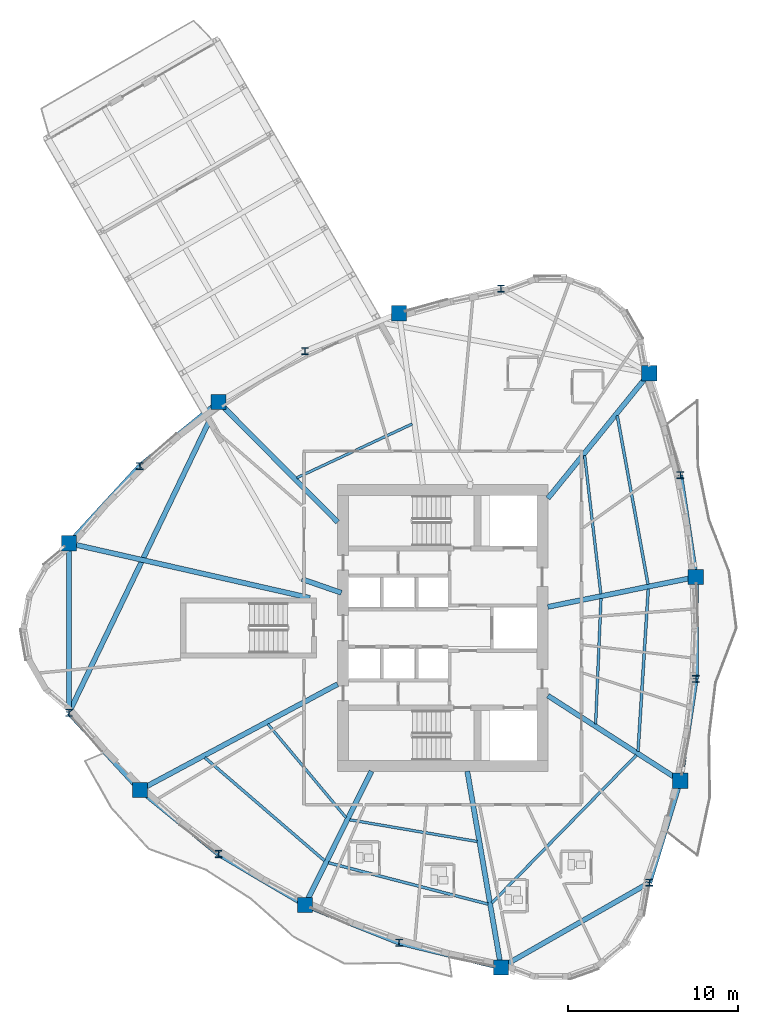
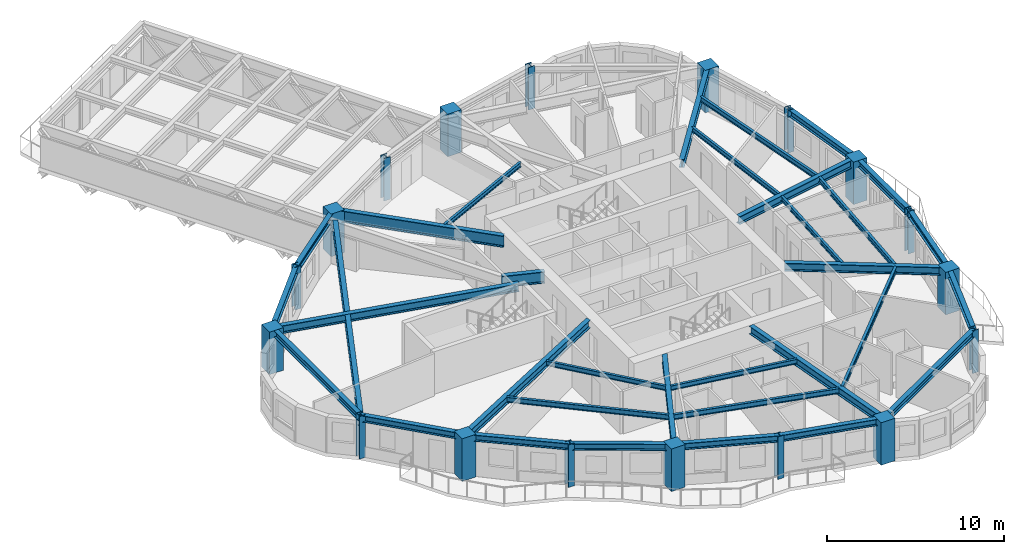
# One storey, part 1 of 14: 33 beams, 18 columns.
"""IFC4 building model written with IfcOpenShell, lengths in metres."""

import ifcopenshell
import ifcopenshell.guid

model = None  # the IFC model being written
_history = None  # IfcOwnerHistory: only IFC2X3 demands one
_inside = {}  # id of a spatial element -> (the spatial element, [elements in it])
_under = {}  # id of a project, library or spatial element -> (it, [spatial elements below it])
_declared = {}  # id of a project -> (the project, [libraries it declares])
_typed = {}  # id of a type object -> (the type object, [elements of that type])
_made_of = {}  # id of a material, layer set ... -> (it, [elements and type objects made of it])


def new_model(schema):
    """Start an empty IFC model of exactly this schema.

    Asked for "IFC4X3", IfcOpenShell would pick the latest addendum, in which some entities
    have other attributes; the version numbers below select the first issue.
    IFC2X3 requires an IfcOwnerHistory on every rooted entity: one is made here for all.
    """
    global model, _history
    if schema == "IFC4X3":
        model = ifcopenshell.file(schema_version=(4, 3, 0, 0))
    else:
        model = ifcopenshell.file(schema=schema)
    _inside.clear()
    _under.clear()
    _declared.clear()
    _typed.clear()
    _made_of.clear()
    _history = None
    if model.schema == "IFC2X3":
        org = make("IfcOrganization", Name="unknown")
        user = make(
            "IfcPersonAndOrganization",
            ThePerson=make("IfcPerson", FamilyName="unknown"),
            TheOrganization=org,
        )
        app = make(
            "IfcApplication",
            ApplicationDeveloper=org,
            Version="unknown",
            ApplicationFullName="unknown",
            ApplicationIdentifier="unknown",
        )
        _history = make(
            "IfcOwnerHistory",
            OwningUser=user,
            OwningApplication=app,
            ChangeAction="ADDED",
            CreationDate=0,
        )
    return model


def make(cls, **values):
    """One entity of the class cls with the attributes given. An attribute that is None is left unset."""
    return model.create_entity(
        cls, **{name: value for name, value in values.items() if value is not None}
    )


def rooted(cls, **values):
    """An entity with a GlobalId (a new one), such as an element, a storey or a relation."""
    return make(cls, GlobalId=ifcopenshell.guid.new(), OwnerHistory=_history, **values)


def si_unit(unit_type, name, prefix=None):
    """IfcSIUnit, for example si_unit("LENGTHUNIT", "METRE", prefix="MILLI")."""
    return make("IfcSIUnit", UnitType=unit_type, Prefix=prefix, Name=name)


def assignment(units):
    """IfcUnitAssignment: the units of a project."""
    return None if units is None else make("IfcUnitAssignment", Units=units)


def point(xyz):
    """IfcCartesianPoint."""
    return None if xyz is None else make("IfcCartesianPoint", Coordinates=xyz)


def direction(xyz):
    """IfcDirection."""
    return None if xyz is None else make("IfcDirection", DirectionRatios=xyz)


def frame(location, z_axis=None, x_axis=None):
    """IfcAxis2Placement3D, a coordinate frame: its origin and axes. An axis left out is left unset."""
    return make(
        "IfcAxis2Placement3D",
        Location=point(location),
        Axis=direction(z_axis),
        RefDirection=direction(x_axis),
    )


def frame_2d(location, x_axis=None):
    """IfcAxis2Placement2D, a coordinate frame in the plane: its origin and x axis."""
    return make(
        "IfcAxis2Placement2D", Location=point(location), RefDirection=direction(x_axis)
    )


def origin():
    """The frame at (0, 0, 0) with its axes left unset."""
    return frame((0.0, 0.0, 0.0))


def origin_2d():
    """The frame at (0, 0) in the plane with its x axis left unset."""
    return frame_2d((0.0, 0.0))


def place(relative_to, where):
    """IfcLocalPlacement: puts the frame where relative to a parent placement (None: the world)."""
    return make(
        "IfcLocalPlacement", PlacementRelTo=relative_to, RelativePlacement=where
    )


def context(
    kind, dimensions, precision=None, world=None, true_north=None, identifier=None
):
    """IfcGeometricRepresentationContext, for example the 3D "Model" context."""
    return make(
        "IfcGeometricRepresentationContext",
        ContextIdentifier=identifier,
        ContextType=kind,
        CoordinateSpaceDimension=dimensions,
        Precision=precision,
        WorldCoordinateSystem=world,
        TrueNorth=true_north,
    )


def subcontext(parent, identifier, kind, view, scale=None):
    """IfcGeometricRepresentationSubContext, for example "Body" below "Model"."""
    return make(
        "IfcGeometricRepresentationSubContext",
        ContextIdentifier=identifier,
        ContextType=kind,
        ParentContext=parent,
        TargetScale=scale,
        TargetView=view,
    )


def project(units=None, contexts=None):
    """IfcProject with its units and contexts."""
    return rooted(
        "IfcProject",
        Name="project",
        RepresentationContexts=contexts,
        UnitsInContext=assignment(units),
    )


def spatial(cls, under=None, at=None, **own):
    """A site, building, storey or space (cls), placed at a placement, below another one or the project."""
    s = rooted(cls, ObjectPlacement=at, **own)
    if under is not None:
        _under.setdefault(under.id(), (under, []))[1].append(s)
    return s


def profile(cls, at=None, kind="AREA", **sizes):
    """A parametric profile (cls). Its sizes go by their IFC names, for example OverallWidth=200.0."""
    return make(cls, ProfileType=kind, Position=at, **sizes)


def rectangle(**sizes):
    """IfcRectangleProfileDef."""
    return profile("IfcRectangleProfileDef", **sizes)


def i_section(**sizes):
    """IfcIShapeProfileDef."""
    return profile("IfcIShapeProfileDef", **sizes)


def extrude(swept, where, along, depth):
    """IfcExtrudedAreaSolid: the profile swept, set in the frame where, extruded along a direction by depth."""
    return make(
        "IfcExtrudedAreaSolid",
        SweptArea=swept,
        Position=where,
        ExtrudedDirection=direction(along),
        Depth=depth,
    )


def shape(context_of_items, identifier, shape_type, items):
    """IfcShapeRepresentation: the items that make up one representation, for example the "Body"."""
    return make(
        "IfcShapeRepresentation",
        ContextOfItems=context_of_items,
        RepresentationIdentifier=identifier,
        RepresentationType=shape_type,
        Items=items,
    )


def source(mapping_origin, context_of_items, identifier, shape_type, items):
    """IfcRepresentationMap: a shape defined once, which mapped items show again and again."""
    return make(
        "IfcRepresentationMap",
        MappingOrigin=mapping_origin,
        MappedRepresentation=shape(context_of_items, identifier, shape_type, items),
    )


def transform(
    local_origin,
    x_axis=None,
    y_axis=None,
    z_axis=None,
    scale=None,
    scale2=None,
    scale3=None,
    uniform=True,
):
    """IfcCartesianTransformationOperator3D, or its non-uniform kind. x_axis, y_axis, z_axis: its Axis1, 2, 3."""
    if uniform:
        return make(
            "IfcCartesianTransformationOperator3D",
            Axis1=direction(x_axis),
            Axis2=direction(y_axis),
            LocalOrigin=point(local_origin),
            Scale=scale,
            Axis3=direction(z_axis),
        )
    return make(
        "IfcCartesianTransformationOperator3DnonUniform",
        Axis1=direction(x_axis),
        Axis2=direction(y_axis),
        LocalOrigin=point(local_origin),
        Scale=scale,
        Axis3=direction(z_axis),
        Scale2=scale2,
        Scale3=scale3,
    )


def mapped(mapping_source, mapping_target):
    """IfcMappedItem: shows the shape of a source again, moved by a transform."""
    return make(
        "IfcMappedItem", MappingSource=mapping_source, MappingTarget=mapping_target
    )


def material(Name=None, Category=None):
    """IfcMaterial."""
    return make("IfcMaterial", Name=Name, Category=Category)


def material_profile(
    of_material, cross_section, Name=None, Category=None, Priority=None
):
    """IfcMaterialProfile: a cross section and its material."""
    return make(
        "IfcMaterialProfile",
        Name=Name,
        Material=of_material,
        Profile=cross_section,
        Priority=Priority,
        Category=Category,
    )


def profile_set(profiles, Name=None, composite=None):
    """IfcMaterialProfileSet."""
    return make(
        "IfcMaterialProfileSet",
        Name=Name,
        MaterialProfiles=profiles,
        CompositeProfile=composite,
    )


def made_of(thing, what):
    """Note that an element or type object is made of a material, layer set ...; save() writes the relation."""
    if what is not None:
        _made_of.setdefault(what.id(), (what, []))[1].append(thing)
    return thing


def type_object(cls, material=None, **own):
    """A type object (cls), such as IfcWallType, which elements share."""
    return made_of(rooted(cls, **own), material)


def element(
    cls,
    number,
    at=None,
    inside=None,
    cuts=None,
    type_object=None,
    material=None,
    context=None,
    identifier="Body",
    shape_type=None,
    held_by="IfcProductDefinitionShape",
    body=None,
    shapes=None,
    **own,
):
    """One element of the class cls, such as IfcWall. Its Tag is "e" and its number.

    at: its placement. inside: the storey or other place that contains it. cuts: it is an
    opening in that element (IfcRelVoidsElement). A single representation is given by context,
    identifier, shape_type and body (its items); several are given by shapes. held_by: the class
    of the entity that holds the representations. save() writes the other relations.
    """
    e = rooted(cls, Tag="e%d" % number, ObjectPlacement=at, **own)
    if body is not None:
        shapes = [shape(context, identifier, shape_type, body)]
    if shapes is not None:
        e.Representation = make(held_by, Representations=shapes)
    if inside is not None:
        _inside.setdefault(inside.id(), (inside, []))[1].append(e)
    if cuts is not None:
        rooted(
            "IfcRelVoidsElement", RelatingBuildingElement=cuts, RelatedOpeningElement=e
        )
    if type_object is not None:
        _typed.setdefault(type_object.id(), (type_object, []))[1].append(e)
    return made_of(e, material)


def aggregate(whole, parts):
    """IfcRelAggregates: a whole, such as a stair, and the parts it consists of."""
    return rooted("IfcRelAggregates", RelatingObject=whole, RelatedObjects=parts)


def save(model, path):
    """Write the relations noted so far, then the file.

    IfcRelAggregates (storeys below a building ...), IfcRelContainedInSpatialStructure (elements
    in a storey), IfcRelDefinesByType, IfcRelAssociatesMaterial and IfcRelDeclares: one each for
    every whole, place, type object, material and project.
    """
    for whole, parts in _under.values():
        aggregate(whole, parts)
    for where, things in _inside.values():
        rooted(
            "IfcRelContainedInSpatialStructure",
            RelatedElements=things,
            RelatingStructure=where,
        )
    for kind, things in _typed.values():
        rooted("IfcRelDefinesByType", RelatedObjects=things, RelatingType=kind)
    for what, things in _made_of.values():
        rooted("IfcRelAssociatesMaterial", RelatedObjects=things, RelatingMaterial=what)
    for by, libraries in _declared.values():
        rooted("IfcRelDeclares", RelatingContext=by, RelatedDefinitions=libraries)
    model.write(path)


model = new_model("IFC4")

# Units and contexts
model_context = context("Model", 3, precision=1e-05, world=origin(), true_north=direction((0.0, 1.0)))
body_context = subcontext(model_context, "Body", "Model", "MODEL_VIEW")
ifc_project = project(units=[si_unit("LENGTHUNIT", "METRE"), si_unit("AREAUNIT", "SQUARE_METRE"), si_unit("VOLUMEUNIT", "CUBIC_METRE"), si_unit("PLANEANGLEUNIT", "RADIAN"), si_unit("MASSUNIT", "GRAM", prefix="KILO")], contexts=[model_context])

# Site, building, storey
site_placement = place(None, origin())
site = spatial("IfcSite", under=ifc_project, at=site_placement, CompositionType="ELEMENT")
building_placement = place(site_placement, origin())
building = spatial("IfcBuilding", under=site, at=building_placement, Name="Qafzar Sky-Pleat Residences", CompositionType="ELEMENT")
storey_placement = place(building_placement, frame((0.0, 0.0, 83.199951171875)))
storey = spatial("IfcBuildingStorey", under=building, at=storey_placement, Name="L24", CompositionType="ELEMENT", Elevation=83.199951171875)

# Columns
ifc_material_1 = material(Name="Concrete C60/75", Category="concrete")
ifc_material_profile_1 = material_profile(ifc_material_1, rectangle(XDim=0.89990234375, YDim=0.89990234375, at=origin_2d()), Name="RC 900x900")
ifc_profile_set_1 = profile_set([ifc_material_profile_1], Name="Concrete C60/75")
column_type_1 = type_object("IfcColumnType", Name="COL-RC-900", PredefinedType="COLUMN", material=ifc_profile_set_1)
shared_shape_1 = source(origin(), body_context, "Body", "SweptSolid", [
    extrude(rectangle(XDim=0.89990234375, YDim=0.89990234375, at=origin_2d()), origin(), (0.0, 0.0, 1.0), 2.93505859375),
])
for number, where, z_axis, x_axis, name in (
    (1, (8.310302734375, 30.996337890625, 0.0), (0.0, 0.0, 1.0), (1.0, 0.0, 0.0), "L24 Perimeter Mega Column 1"),
    (2, (12.49267578125, 16.45068359375, 0.0), (0.0, 0.0, 1.0), (1.0, 0.0, 0.0), "L24 Perimeter Mega Column 3"),
    (3, (22.2265625, 9.668701171875, 0.0), (0.0, 0.0, 1.0), (1.0, 0.0, 0.0), "L24 Perimeter Mega Column 5"),
    (4, (33.787109375, 5.984619140625, 0.0), (0.0, 0.0, 1.0), (1.0, 0.0, 0.0), "L24 Perimeter Mega Column 7"),
    (5, (44.35888671875, 16.988525390625, 0.0), (0.0, 0.0, 1.0), (1.0, 0.0, 0.0), "L24 Perimeter Mega Column 9"),
    (6, (45.27197265625, 29.00390625, 0.0), (0.0, 0.0, 1.0), (1.0, 0.0, 0.0), "L24 Perimeter Mega Column 11"),
    (7, (42.532470703125, 41.01904296875, 0.0), (0.0, 0.0, 1.0), (1.0, 0.0, 0.0), "L24 Perimeter Mega Column 13"),
    (8, (27.778564453125, 44.560546875, 0.0), (0.0, 0.0, 1.0), (1.0, 0.0, 0.0), "L24 Perimeter Mega Column 15"),
    (9, (17.13134765625, 39.327392578125, 0.0), (0.0, 0.0, 1.0), (1.0, 0.0, 0.0), "L24 Perimeter Mega Column 17"),
):
    element("IfcColumn", number, at=place(storey_placement, frame(where, z_axis=z_axis, x_axis=x_axis)), inside=storey, type_object=column_type_1, Name=name, PredefinedType="COLUMN", context=body_context, shape_type="MappedRepresentation", body=[
        mapped(shared_shape_1, transform((0.0, 0.0, 0.0), x_axis=(1.0, 0.0, 0.0), y_axis=(0.0, 1.0, 0.0), z_axis=(0.0, 0.0, 1.0), scale=1.0)),
    ])
ifc_material_2 = material(Name="Steel S460", Category="steel")
ifc_material_profile_2 = material_profile(ifc_material_2, i_section(OverallWidth=0.406005859375, OverallDepth=0.416015625, WebThickness=0.027099609375, FlangeThickness=0.0439453125, FilletRadius=0.014892578125, at=origin_2d()), Name="HD 400x382")
ifc_profile_set_2 = profile_set([ifc_material_profile_2], Name="Steel S460")
column_type_2 = type_object("IfcColumnType", Name="COL-STL-HD382", PredefinedType="PILASTER", material=ifc_profile_set_2)
shared_shape_2 = source(origin(), body_context, "Body", "SweptSolid", [
    extrude(i_section(OverallWidth=0.406005859375, OverallDepth=0.416015625, WebThickness=0.027099609375, FlangeThickness=0.0439453125, FilletRadius=0.014892578125, at=origin_2d()), origin(), (0.0, 0.0, 1.0), 2.93505859375),
])
for number, where, z_axis, x_axis, name in (
    (10, (8.310302734375, 21.003662109375, 0.0), (0.0, 0.0, 1.0), (1.0, 0.0, 0.0), "L24 Perimeter Mega Column 2"),
    (11, (17.13134765625, 12.672607421875, 0.0), (0.0, 0.0, 1.0), (1.0, 0.0, 0.0), "L24 Perimeter Mega Column 4"),
    (12, (27.778564453125, 7.439453125, 0.0), (0.0, 0.0, 1.0), (1.0, 0.0, 0.0), "L24 Perimeter Mega Column 6"),
    (13, (42.532470703125, 10.98095703125, 0.0), (0.0, 0.0, 1.0), (1.0, 0.0, 0.0), "L24 Perimeter Mega Column 8"),
    (14, (45.27197265625, 22.99609375, 0.0), (0.0, 0.0, 1.0), (1.0, 0.0, 0.0), "L24 Perimeter Mega Column 10"),
    (15, (44.35888671875, 35.011474609375, 0.0), (0.0, 0.0, 1.0), (1.0, 0.0, 0.0), "L24 Perimeter Mega Column 12"),
    (16, (33.787109375, 46.015380859375, 0.0), (0.0, 0.0, 1.0), (1.0, 0.0, 0.0), "L24 Perimeter Mega Column 14"),
    (17, (22.2265625, 42.331298828125, 0.0), (0.0, 0.0, 1.0), (1.0, 0.0, 0.0), "L24 Perimeter Mega Column 16"),
    (18, (12.49267578125, 35.54931640625, 0.0), (0.0, 0.0, 1.0), (1.0, 0.0, 0.0), "L24 Perimeter Mega Column 18"),
):
    element("IfcColumn", number, at=place(storey_placement, frame(where, z_axis=z_axis, x_axis=x_axis)), inside=storey, type_object=column_type_2, Name=name, PredefinedType="PILASTER", context=body_context, shape_type="MappedRepresentation", body=[
        mapped(shared_shape_2, transform((0.0, 0.0, 0.0), x_axis=(1.0, 0.0, 0.0), y_axis=(0.0, 1.0, 0.0), z_axis=(0.0, 0.0, 1.0), scale=1.0)),
    ])

# Beams
ifc_material_3 = material(Name="Steel S355", Category="steel")
ifc_material_profile_3 = material_profile(ifc_material_3, i_section(OverallWidth=0.300048828125, OverallDepth=0.449951171875, WebThickness=0.013916015625, FlangeThickness=0.02587890625, FilletRadius=0.027099609375, at=origin_2d()), Name="HEB 450")
ifc_profile_set_3 = profile_set([ifc_material_profile_3], Name="Steel S355")
beam_type_1 = type_object("IfcBeamType", Name="BM-SPAN-HEB450", PredefinedType="SPANDREL", material=ifc_profile_set_3)
shared_shape_3 = source(origin(), body_context, "Body", "SweptSolid", [
    extrude(i_section(OverallWidth=0.300048828125, OverallDepth=0.449951171875, WebThickness=0.013916015625, FlangeThickness=0.02587890625, FilletRadius=0.027099609375, at=origin_2d()), origin(), (0.0, 0.0, 1.0), 10.072021484375),
])
beam_1_placement = place(storey_placement, frame((33.787109375, 5.984619140625, 2.7080078125), z_axis=(0.868286397172, 0.496063234363, 0.0), x_axis=(-0.496063234363, 0.868286397172, 0.0)))
element("IfcBeam", 19, at=beam_1_placement, inside=storey, type_object=beam_type_1, Name="L24 Perimeter Spandrel Beam 7", PredefinedType="SPANDREL", context=body_context, shape_type="MappedRepresentation", body=[
    mapped(shared_shape_3, transform((0.0, 0.0, 0.0), x_axis=(1.0, 0.0, 0.0), y_axis=(0.0, 1.0, 0.0), z_axis=(0.0, 0.0, 1.0), scale=1.0)),
])
shared_shape_4 = source(origin(), body_context, "Body", "SweptSolid", [
    extrude(i_section(OverallWidth=0.300048828125, OverallDepth=0.449951171875, WebThickness=0.013916015625, FlangeThickness=0.02587890625, FilletRadius=0.027099609375, at=origin_2d()), origin(), (0.0, 0.0, 1.0), 9.99267578125),
])
beam_2_placement = place(storey_placement, frame((8.310302734375, 30.996337890625, 2.7080078125), z_axis=(0.0, -1.0, 0.0), x_axis=(1.0, 0.0, 0.0)))
element("IfcBeam", 20, at=beam_2_placement, inside=storey, type_object=beam_type_1, Name="L24 Perimeter Spandrel Beam 1", PredefinedType="SPANDREL", context=body_context, shape_type="MappedRepresentation", body=[
    mapped(shared_shape_4, transform((0.0, 0.0, 0.0), x_axis=(1.0, 0.0, 0.0), y_axis=(0.0, 1.0, 0.0), z_axis=(0.0, 0.0, 1.0), scale=1.0)),
])
shared_shape_5 = source(origin(), body_context, "Body", "SweptSolid", [
    extrude(i_section(OverallWidth=0.300048828125, OverallDepth=0.449951171875, WebThickness=0.013916015625, FlangeThickness=0.02587890625, FilletRadius=0.027099609375, at=origin_2d()), origin(), (0.0, 0.0, 1.0), 6.182373046875),
])
for number, where, z_axis, x_axis, name in (
    (21, (8.310302734375, 21.003662109375, 2.7080078125), (0.67649855248, -0.736443961543, 0.0), (0.736443961543, 0.67649855248, 0.0), "L24 Perimeter Spandrel Beam 2"),
    (22, (12.49267578125, 35.54931640625, 2.7080078125), (-0.67649855248, -0.736443961543, 0.0), (0.736443961543, -0.67649855248, 0.0), "L24 Perimeter Spandrel Beam 18"),
):
    element("IfcBeam", number, at=place(storey_placement, frame(where, z_axis=z_axis, x_axis=x_axis)), inside=storey, type_object=beam_type_1, Name=name, PredefinedType="SPANDREL", context=body_context, shape_type="MappedRepresentation", body=[
        mapped(shared_shape_5, transform((0.0, 0.0, 0.0), x_axis=(1.0, 0.0, 0.0), y_axis=(0.0, 1.0, 0.0), z_axis=(0.0, 0.0, 1.0), scale=1.0)),
    ])
shared_shape_6 = source(origin(), body_context, "Body", "SweptSolid", [
    extrude(i_section(OverallWidth=0.300048828125, OverallDepth=0.449951171875, WebThickness=0.013916015625, FlangeThickness=0.02587890625, FilletRadius=0.027099609375, at=origin_2d()), origin(), (0.0, 0.0, 1.0), 5.982666015625),
])
for number, where, z_axis, x_axis, name in (
    (23, (12.49267578125, 16.45068359375, 2.7080078125), (0.775364493813, -0.631513975882, 0.0), (0.631513975882, 0.775364493813, 0.0), "L24 Perimeter Spandrel Beam 3"),
    (24, (17.13134765625, 39.327392578125, 2.7080078125), (-0.775364493813, -0.631513975882, 0.0), (0.631513975882, -0.775364493813, 0.0), "L24 Perimeter Spandrel Beam 17"),
):
    element("IfcBeam", number, at=place(storey_placement, frame(where, z_axis=z_axis, x_axis=x_axis)), inside=storey, type_object=beam_type_1, Name=name, PredefinedType="SPANDREL", context=body_context, shape_type="MappedRepresentation", body=[
        mapped(shared_shape_6, transform((0.0, 0.0, 0.0), x_axis=(1.0, 0.0, 0.0), y_axis=(0.0, 1.0, 0.0), z_axis=(0.0, 0.0, 1.0), scale=1.0)),
    ])
shared_shape_7 = source(origin(), body_context, "Body", "SweptSolid", [
    extrude(i_section(OverallWidth=0.300048828125, OverallDepth=0.449951171875, WebThickness=0.013916015625, FlangeThickness=0.02587890625, FilletRadius=0.027099609375, at=origin_2d()), origin(), (0.0, 0.0, 1.0), 5.914794921875),
])
beam_3_placement = place(storey_placement, frame((17.13134765625, 12.672607421875, 2.7080078125), z_axis=(0.861437212356, -0.50786408533, 0.0), x_axis=(0.50786408533, 0.861437212356, 0.0)))
element("IfcBeam", 25, at=beam_3_placement, inside=storey, type_object=beam_type_1, Name="L24 Perimeter Spandrel Beam 4", PredefinedType="SPANDREL", context=body_context, shape_type="MappedRepresentation", body=[
    mapped(shared_shape_7, transform((0.0, 0.0, 0.0), x_axis=(1.0, 0.0, 0.0), y_axis=(0.0, 1.0, 0.0), z_axis=(0.0, 0.0, 1.0), scale=1.0)),
])
shared_shape_8 = source(origin(), body_context, "Body", "SweptSolid", [
    extrude(i_section(OverallWidth=0.300048828125, OverallDepth=0.449951171875, WebThickness=0.013916015625, FlangeThickness=0.02587890625, FilletRadius=0.027099609375, at=origin_2d()), origin(), (0.0, 0.0, 1.0), 5.98291015625),
])
beam_4_placement = place(storey_placement, frame((22.2265625, 9.668701171875, 2.7080078125), z_axis=(0.927989024901, -0.372607527653, 0.0), x_axis=(0.372607527653, 0.927989024901, 0.0)))
element("IfcBeam", 26, at=beam_4_placement, inside=storey, type_object=beam_type_1, Name="L24 Perimeter Spandrel Beam 5", PredefinedType="SPANDREL", context=body_context, shape_type="MappedRepresentation", body=[
    mapped(shared_shape_8, transform((0.0, 0.0, 0.0), x_axis=(1.0, 0.0, 0.0), y_axis=(0.0, 1.0, 0.0), z_axis=(0.0, 0.0, 1.0), scale=1.0)),
])
shared_shape_9 = source(origin(), body_context, "Body", "SweptSolid", [
    extrude(i_section(OverallWidth=0.300048828125, OverallDepth=0.449951171875, WebThickness=0.013916015625, FlangeThickness=0.02587890625, FilletRadius=0.027099609375, at=origin_2d()), origin(), (0.0, 0.0, 1.0), 6.18212890625),
])
beam_5_placement = place(storey_placement, frame((27.778564453125, 7.439453125, 2.7080078125), z_axis=(0.971916102979, -0.235327620074, 0.0), x_axis=(0.235327620074, 0.971916102979, 0.0)))
element("IfcBeam", 27, at=beam_5_placement, inside=storey, type_object=beam_type_1, Name="L24 Perimeter Spandrel Beam 6", PredefinedType="SPANDREL", context=body_context, shape_type="MappedRepresentation", body=[
    mapped(shared_shape_9, transform((0.0, 0.0, 0.0), x_axis=(1.0, 0.0, 0.0), y_axis=(0.0, 1.0, 0.0), z_axis=(0.0, 0.0, 1.0), scale=1.0)),
])
shared_shape_10 = source(origin(), body_context, "Body", "SweptSolid", [
    extrude(i_section(OverallWidth=0.300048828125, OverallDepth=0.449951171875, WebThickness=0.013916015625, FlangeThickness=0.02587890625, FilletRadius=0.027099609375, at=origin_2d()), origin(), (0.0, 0.0, 1.0), 6.279052734375),
])
beam_6_placement = place(storey_placement, frame((42.532470703125, 10.98095703125, 2.7080078125), z_axis=(0.290873824385, 0.956761421822, 0.0), x_axis=(-0.956761421822, 0.290873824385, 0.0)))
element("IfcBeam", 28, at=beam_6_placement, inside=storey, type_object=beam_type_1, Name="L24 Perimeter Spandrel Beam 8", PredefinedType="SPANDREL", context=body_context, shape_type="MappedRepresentation", body=[
    mapped(shared_shape_10, transform((0.0, 0.0, 0.0), x_axis=(1.0, 0.0, 0.0), y_axis=(0.0, 1.0, 0.0), z_axis=(0.0, 0.0, 1.0), scale=1.0)),
])
shared_shape_11 = source(origin(), body_context, "Body", "SweptSolid", [
    extrude(i_section(OverallWidth=0.300048828125, OverallDepth=0.449951171875, WebThickness=0.013916015625, FlangeThickness=0.02587890625, FilletRadius=0.027099609375, at=origin_2d()), origin(), (0.0, 0.0, 1.0), 6.07666015625),
])
for number, where, z_axis, x_axis, name in (
    (29, (44.35888671875, 16.988525390625, 2.7080078125), (0.150263580775, 0.988645971161, 0.0), (-0.988645971161, 0.150263580775, 0.0), "L24 Perimeter Spandrel Beam 9"),
    (30, (45.27197265625, 29.00390625, 2.7080078125), (-0.150263580775, 0.988645971161, 0.0), (-0.988645971161, -0.150263580775, 0.0), "L24 Perimeter Spandrel Beam 11"),
):
    element("IfcBeam", number, at=place(storey_placement, frame(where, z_axis=z_axis, x_axis=x_axis)), inside=storey, type_object=beam_type_1, Name=name, PredefinedType="SPANDREL", context=body_context, shape_type="MappedRepresentation", body=[
        mapped(shared_shape_11, transform((0.0, 0.0, 0.0), x_axis=(1.0, 0.0, 0.0), y_axis=(0.0, 1.0, 0.0), z_axis=(0.0, 0.0, 1.0), scale=1.0)),
    ])
shared_shape_12 = source(origin(), body_context, "Body", "SweptSolid", [
    extrude(i_section(OverallWidth=0.300048828125, OverallDepth=0.449951171875, WebThickness=0.013916015625, FlangeThickness=0.02587890625, FilletRadius=0.027099609375, at=origin_2d()), origin(), (0.0, 0.0, 1.0), 6.0078125),
])
beam_7_placement = place(storey_placement, frame((45.27197265625, 22.99609375, 2.7080078125), z_axis=(0.0, 1.0, 0.0), x_axis=(-1.0, 0.0, 0.0)))
element("IfcBeam", 31, at=beam_7_placement, inside=storey, type_object=beam_type_1, Name="L24 Perimeter Spandrel Beam 10", PredefinedType="SPANDREL", context=body_context, shape_type="MappedRepresentation", body=[
    mapped(shared_shape_12, transform((0.0, 0.0, 0.0), x_axis=(1.0, 0.0, 0.0), y_axis=(0.0, 1.0, 0.0), z_axis=(0.0, 0.0, 1.0), scale=1.0)),
])
ifc_material_profile_4 = material_profile(ifc_material_3, i_section(OverallWidth=0.300048828125, OverallDepth=0.550048828125, WebThickness=0.014892578125, FlangeThickness=0.029052734375, FilletRadius=0.027099609375, at=origin_2d()), Name="HEB 550")
ifc_profile_set_4 = profile_set([ifc_material_profile_4], Name="Steel S355")
beam_type_2 = type_object("IfcBeamType", Name="BM-GIRD-HEB550", PredefinedType="BEAM", material=ifc_profile_set_4)
shared_shape_13 = source(origin(), body_context, "Body", "SweptSolid", [
    extrude(i_section(OverallWidth=0.300048828125, OverallDepth=0.550048828125, WebThickness=0.014892578125, FlangeThickness=0.029052734375, FilletRadius=0.027099609375, at=origin_2d()), origin(), (0.0, 0.0, 1.0), 14.570556640625),
])
beam_8_placement = place(storey_placement, frame((8.310302734375, 30.996337890625, 2.657958984375), z_axis=(0.975252866823, -0.221092391893, 0.0), x_axis=(0.221092391893, 0.975252866823, 0.0)))
element("IfcBeam", 32, at=beam_8_placement, inside=storey, type_object=beam_type_2, Name="L24 Radial Floor Girder 1", PredefinedType="BEAM", context=body_context, shape_type="MappedRepresentation", body=[
    mapped(shared_shape_13, transform((0.0, 0.0, 0.0), x_axis=(1.0, 0.0, 0.0), y_axis=(0.0, 1.0, 0.0), z_axis=(0.0, 0.0, 1.0), scale=1.0)),
])
shared_shape_14 = source(origin(), body_context, "Body", "SweptSolid", [
    extrude(i_section(OverallWidth=0.300048828125, OverallDepth=0.550048828125, WebThickness=0.014892578125, FlangeThickness=0.029052734375, FilletRadius=0.027099609375, at=origin_2d()), origin(), (0.0, 0.0, 1.0), 13.219482421875),
])
beam_9_placement = place(storey_placement, frame((12.49267578125, 16.45068359375, 2.657958984375), z_axis=(0.881827865718, 0.471571431751, 0.0), x_axis=(-0.471571431751, 0.881827865718, 0.0)))
element("IfcBeam", 33, at=beam_9_placement, inside=storey, type_object=beam_type_2, Name="L24 Radial Floor Girder 3", PredefinedType="BEAM", context=body_context, shape_type="MappedRepresentation", body=[
    mapped(shared_shape_14, transform((0.0, 0.0, 0.0), x_axis=(1.0, 0.0, 0.0), y_axis=(0.0, 1.0, 0.0), z_axis=(0.0, 0.0, 1.0), scale=1.0)),
])
shared_shape_15 = source(origin(), body_context, "Body", "SweptSolid", [
    extrude(i_section(OverallWidth=0.300048828125, OverallDepth=0.550048828125, WebThickness=0.014892578125, FlangeThickness=0.029052734375, FilletRadius=0.027099609375, at=origin_2d()), origin(), (0.0, 0.0, 1.0), 8.802490234375),
])
beam_10_placement = place(storey_placement, frame((22.2265625, 9.668701171875, 2.657958984375), z_axis=(0.445371033595, 0.895346102038, 0.0), x_axis=(-0.895346102038, 0.445371033595, 0.0)))
element("IfcBeam", 34, at=beam_10_placement, inside=storey, type_object=beam_type_2, Name="L24 Radial Floor Girder 5", PredefinedType="BEAM", context=body_context, shape_type="MappedRepresentation", body=[
    mapped(shared_shape_15, transform((0.0, 0.0, 0.0), x_axis=(1.0, 0.0, 0.0), y_axis=(0.0, 1.0, 0.0), z_axis=(0.0, 0.0, 1.0), scale=1.0)),
])
shared_shape_16 = source(origin(), body_context, "Body", "SweptSolid", [
    extrude(i_section(OverallWidth=0.300048828125, OverallDepth=0.550048828125, WebThickness=0.014892578125, FlangeThickness=0.029052734375, FilletRadius=0.027099609375, at=origin_2d()), origin(), (0.0, 0.0, 1.0), 11.734619140625),
])
beam_11_placement = place(storey_placement, frame((33.787109375, 5.984619140625, 2.657958984375), z_axis=(-0.169248494734, 0.985573410269, 0.0), x_axis=(-0.985573410269, -0.169248494734, 0.0)))
element("IfcBeam", 35, at=beam_11_placement, inside=storey, type_object=beam_type_2, Name="L24 Radial Floor Girder 7", PredefinedType="BEAM", context=body_context, shape_type="MappedRepresentation", body=[
    mapped(shared_shape_16, transform((0.0, 0.0, 0.0), x_axis=(1.0, 0.0, 0.0), y_axis=(0.0, 1.0, 0.0), z_axis=(0.0, 0.0, 1.0), scale=1.0)),
])
shared_shape_17 = source(origin(), body_context, "Body", "SweptSolid", [
    extrude(i_section(OverallWidth=0.300048828125, OverallDepth=0.550048828125, WebThickness=0.014892578125, FlangeThickness=0.029052734375, FilletRadius=0.027099609375, at=origin_2d()), origin(), (0.0, 0.0, 1.0), 9.284912109375),
])
beam_12_placement = place(storey_placement, frame((44.35888671875, 16.988525390625, 2.657958984375), z_axis=(-0.841020389397, 0.54100342385, 0.0), x_axis=(-0.54100342385, -0.841020389397, 0.0)))
element("IfcBeam", 36, at=beam_12_placement, inside=storey, type_object=beam_type_2, Name="L24 Radial Floor Girder 9", PredefinedType="BEAM", context=body_context, shape_type="MappedRepresentation", body=[
    mapped(shared_shape_17, transform((0.0, 0.0, 0.0), x_axis=(1.0, 0.0, 0.0), y_axis=(0.0, 1.0, 0.0), z_axis=(0.0, 0.0, 1.0), scale=1.0)),
])
shared_shape_18 = source(origin(), body_context, "Body", "SweptSolid", [
    extrude(i_section(OverallWidth=0.300048828125, OverallDepth=0.550048828125, WebThickness=0.014892578125, FlangeThickness=0.029052734375, FilletRadius=0.027099609375, at=origin_2d()), origin(), (0.0, 0.0, 1.0), 8.89697265625),
])
beam_13_placement = place(storey_placement, frame((45.27197265625, 29.00390625, 2.657958984375), z_axis=(-0.980331866543, -0.197356103126, 0.0), x_axis=(0.197356103126, -0.980331866543, 0.0)))
element("IfcBeam", 37, at=beam_13_placement, inside=storey, type_object=beam_type_2, Name="L24 Radial Floor Girder 11", PredefinedType="BEAM", context=body_context, shape_type="MappedRepresentation", body=[
    mapped(shared_shape_18, transform((0.0, 0.0, 0.0), x_axis=(1.0, 0.0, 0.0), y_axis=(0.0, 1.0, 0.0), z_axis=(0.0, 0.0, 1.0), scale=1.0)),
])
shared_shape_19 = source(origin(), body_context, "Body", "SweptSolid", [
    extrude(i_section(OverallWidth=0.300048828125, OverallDepth=0.550048828125, WebThickness=0.014892578125, FlangeThickness=0.029052734375, FilletRadius=0.027099609375, at=origin_2d()), origin(), (0.0, 0.0, 1.0), 9.49658203125),
])
beam_14_placement = place(storey_placement, frame((42.532470703125, 41.01904296875, 2.657958984375), z_axis=(-0.629947833467, -0.776637448949, 0.0), x_axis=(0.776637448949, -0.629947833467, 0.0)))
element("IfcBeam", 38, at=beam_14_placement, inside=storey, type_object=beam_type_2, Name="L24 Radial Floor Girder 13", PredefinedType="BEAM", context=body_context, shape_type="MappedRepresentation", body=[
    mapped(shared_shape_19, transform((0.0, 0.0, 0.0), x_axis=(1.0, 0.0, 0.0), y_axis=(0.0, 1.0, 0.0), z_axis=(0.0, 0.0, 1.0), scale=1.0)),
])
ifc_material_profile_5 = material_profile(ifc_material_2, i_section(OverallWidth=0.300048828125, OverallDepth=0.800048828125, WebThickness=0.017578125, FlangeThickness=0.032958984375, FilletRadius=0.030029296875, at=origin_2d()), Name="HEB 800")
ifc_profile_set_5 = profile_set([ifc_material_profile_5], Name="Steel S460")
beam_type_3 = type_object("IfcBeamType", Name="BM-CHORD-HEB800", PredefinedType="BEAM", material=ifc_profile_set_5)
shared_shape_20 = source(origin(), body_context, "Body", "SweptSolid", [
    extrude(i_section(OverallWidth=0.300048828125, OverallDepth=0.800048828125, WebThickness=0.017578125, FlangeThickness=0.032958984375, FilletRadius=0.030029296875, at=origin_2d()), origin(), (0.0, 0.0, 1.0), 9.966796875),
])
beam_15_placement = place(storey_placement, frame((17.13134765625, 39.327392578125, 2.532958984375), z_axis=(0.704198100427, -0.710003546016, 0.0), x_axis=(0.710003546016, 0.704198100427, 0.0)))
element("IfcBeam", 39, at=beam_15_placement, inside=storey, type_object=beam_type_3, Name="L24 Radial Floor Girder 17", PredefinedType="BEAM", context=body_context, shape_type="MappedRepresentation", body=[
    mapped(shared_shape_20, transform((0.0, 0.0, 0.0), x_axis=(1.0, 0.0, 0.0), y_axis=(0.0, 1.0, 0.0), z_axis=(0.0, 0.0, 1.0), scale=1.0)),
])
ifc_material_profile_6 = material_profile(ifc_material_3, i_section(OverallWidth=0.169921875, OverallDepth=0.360107421875, WebThickness=0.008056640625, FlangeThickness=0.0126953125, FilletRadius=0.01806640625, at=origin_2d()), Name="IPE 360")
ifc_profile_set_6 = profile_set([ifc_material_profile_6], Name="Steel S355")
beam_type_4 = type_object("IfcBeamType", Name="BM-JST-IPE360", PredefinedType="JOIST", material=ifc_profile_set_6)
shared_shape_21 = source(origin(), body_context, "Body", "SweptSolid", [
    extrude(i_section(OverallWidth=0.169921875, OverallDepth=0.360107421875, WebThickness=0.008056640625, FlangeThickness=0.0126953125, FilletRadius=0.01806640625, at=origin_2d()), origin(), (0.0, 0.0, 1.0), 9.3115234375),
])
beam_16_placement = place(storey_placement, frame((16.3251953125, 18.357421875, 2.7529296875), z_axis=(0.757525307133, -0.652805797349, 0.0), x_axis=(0.652805797349, 0.757525307133, 0.0)))
element("IfcBeam", 40, at=beam_16_placement, inside=storey, type_object=beam_type_4, Name="L24 Outer Secondary Floor Joist 2", PredefinedType="JOIST", context=body_context, shape_type="MappedRepresentation", body=[
    mapped(shared_shape_21, transform((0.0, 0.0, 0.0), x_axis=(1.0, 0.0, 0.0), y_axis=(0.0, 1.0, 0.0), z_axis=(0.0, 0.0, 1.0), scale=1.0)),
])
shared_shape_22 = source(origin(), body_context, "Body", "SweptSolid", [
    extrude(i_section(OverallWidth=0.169921875, OverallDepth=0.360107421875, WebThickness=0.008056640625, FlangeThickness=0.0126953125, FilletRadius=0.01806640625, at=origin_2d()), origin(), (0.0, 0.0, 1.0), 9.719482421875),
])
beam_17_placement = place(storey_placement, frame((23.61181640625, 12.156982421875, 2.7529296875), z_axis=(0.96804321213, -0.250783451307, 0.0), x_axis=(0.250783451307, 0.96804321213, 0.0)))
element("IfcBeam", 41, at=beam_17_placement, inside=storey, type_object=beam_type_4, Name="L24 Outer Secondary Floor Joist 3", PredefinedType="JOIST", context=body_context, shape_type="MappedRepresentation", body=[
    mapped(shared_shape_22, transform((0.0, 0.0, 0.0), x_axis=(1.0, 0.0, 0.0), y_axis=(0.0, 1.0, 0.0), z_axis=(0.0, 0.0, 1.0), scale=1.0)),
])
shared_shape_23 = source(origin(), body_context, "Body", "SweptSolid", [
    extrude(i_section(OverallWidth=0.169921875, OverallDepth=0.360107421875, WebThickness=0.008056640625, FlangeThickness=0.0126953125, FilletRadius=0.01806640625, at=origin_2d()), origin(), (0.0, 0.0, 1.0), 12.189453125),
])
beam_18_placement = place(storey_placement, frame((33.245849609375, 9.781982421875, 2.7529296875), z_axis=(0.698948547423, 0.715171956983, 0.0), x_axis=(-0.715171956983, 0.698948547423, 0.0)))
element("IfcBeam", 42, at=beam_18_placement, inside=storey, type_object=beam_type_4, Name="L24 Outer Secondary Floor Joist 4", PredefinedType="JOIST", context=body_context, shape_type="MappedRepresentation", body=[
    mapped(shared_shape_23, transform((0.0, 0.0, 0.0), x_axis=(1.0, 0.0, 0.0), y_axis=(0.0, 1.0, 0.0), z_axis=(0.0, 0.0, 1.0), scale=1.0)),
])
shared_shape_24 = source(origin(), body_context, "Body", "SweptSolid", [
    extrude(i_section(OverallWidth=0.169921875, OverallDepth=0.360107421875, WebThickness=0.008056640625, FlangeThickness=0.0126953125, FilletRadius=0.01806640625, at=origin_2d()), origin(), (0.0, 0.0, 1.0), 9.595458984375),
])
beam_19_placement = place(storey_placement, frame((41.868408203125, 18.730712890625, 2.7529296875), z_axis=(0.062946940691, 0.998016874936, 0.0), x_axis=(-0.998016874936, 0.062946940691, 0.0)))
element("IfcBeam", 43, at=beam_19_placement, inside=storey, type_object=beam_type_4, Name="L24 Outer Secondary Floor Joist 5", PredefinedType="JOIST", context=body_context, shape_type="MappedRepresentation", body=[
    mapped(shared_shape_24, transform((0.0, 0.0, 0.0), x_axis=(1.0, 0.0, 0.0), y_axis=(0.0, 1.0, 0.0), z_axis=(0.0, 0.0, 1.0), scale=1.0)),
])
shared_shape_25 = source(origin(), body_context, "Body", "SweptSolid", [
    extrude(i_section(OverallWidth=0.169921875, OverallDepth=0.360107421875, WebThickness=0.008056640625, FlangeThickness=0.0126953125, FilletRadius=0.01806640625, at=origin_2d()), origin(), (0.0, 0.0, 1.0), 10.115478515625),
])
beam_20_placement = place(storey_placement, frame((42.456787109375, 28.57470703125, 2.7529296875), z_axis=(-0.179373915619, 0.983780970743, 0.0), x_axis=(-0.983780970743, -0.179373915619, 0.0)))
element("IfcBeam", 44, at=beam_20_placement, inside=storey, type_object=beam_type_4, Name="L24 Outer Secondary Floor Joist 6", PredefinedType="JOIST", context=body_context, shape_type="MappedRepresentation", body=[
    mapped(shared_shape_25, transform((0.0, 0.0, 0.0), x_axis=(1.0, 0.0, 0.0), y_axis=(0.0, 1.0, 0.0), z_axis=(0.0, 0.0, 1.0), scale=1.0)),
])
ifc_material_profile_7 = material_profile(ifc_material_3, i_section(OverallWidth=0.159912109375, OverallDepth=0.330078125, WebThickness=0.007568359375, FlangeThickness=0.011474609375, FilletRadius=0.01806640625, at=origin_2d()), Name="IPE 330")
ifc_profile_set_7 = profile_set([ifc_material_profile_7], Name="Steel S355")
beam_type_5 = type_object("IfcBeamType", Name="BM-JST-IPE330", PredefinedType="JOIST", material=ifc_profile_set_7)
shared_shape_26 = source(origin(), body_context, "Body", "SweptSolid", [
    extrude(i_section(OverallWidth=0.159912109375, OverallDepth=0.330078125, WebThickness=0.007568359375, FlangeThickness=0.011474609375, FilletRadius=0.01806640625, at=origin_2d()), origin(), (0.0, 0.0, 1.0), 7.19189453125),
])
beam_21_placement = place(storey_placement, frame((20.039794921875, 20.3369140625, 2.76806640625), z_axis=(0.640918697045, -0.767608769999, 0.0), x_axis=(0.767608769999, 0.640918697045, 0.0)))
element("IfcBeam", 45, at=beam_21_placement, inside=storey, type_object=beam_type_5, Name="L24 Inner Secondary Floor Joist 2", PredefinedType="JOIST", context=body_context, shape_type="MappedRepresentation", body=[
    mapped(shared_shape_26, transform((0.0, 0.0, 0.0), x_axis=(1.0, 0.0, 0.0), y_axis=(0.0, 1.0, 0.0), z_axis=(0.0, 0.0, 1.0), scale=1.0)),
])
shared_shape_27 = source(origin(), body_context, "Body", "SweptSolid", [
    extrude(i_section(OverallWidth=0.159912109375, OverallDepth=0.330078125, WebThickness=0.007568359375, FlangeThickness=0.011474609375, FilletRadius=0.01806640625, at=origin_2d()), origin(), (0.0, 0.0, 1.0), 7.62255859375),
])
beam_22_placement = place(storey_placement, frame((24.86865234375, 14.68994140625, 2.76806640625), z_axis=(0.985783042332, -0.168023193192, 0.0), x_axis=(0.168023193192, 0.985783042332, 0.0)))
element("IfcBeam", 46, at=beam_22_placement, inside=storey, type_object=beam_type_5, Name="L24 Inner Secondary Floor Joist 3", PredefinedType="JOIST", context=body_context, shape_type="MappedRepresentation", body=[
    mapped(shared_shape_27, transform((0.0, 0.0, 0.0), x_axis=(1.0, 0.0, 0.0), y_axis=(0.0, 1.0, 0.0), z_axis=(0.0, 0.0, 1.0), scale=1.0)),
])
shared_shape_28 = source(origin(), body_context, "Body", "SweptSolid", [
    extrude(i_section(OverallWidth=0.159912109375, OverallDepth=0.330078125, WebThickness=0.007568359375, FlangeThickness=0.011474609375, FilletRadius=0.01806640625, at=origin_2d()), origin(), (0.0, 0.0, 1.0), 7.413818359375),
])
beam_23_placement = place(storey_placement, frame((39.366943359375, 20.33837890625, 2.76806640625), z_axis=(0.042776985231, 0.999084645831, 0.0), x_axis=(-0.999084645831, 0.042776985231, 0.0)))
element("IfcBeam", 47, at=beam_23_placement, inside=storey, type_object=beam_type_5, Name="L24 Inner Secondary Floor Joist 5", PredefinedType="JOIST", context=body_context, shape_type="MappedRepresentation", body=[
    mapped(shared_shape_28, transform((0.0, 0.0, 0.0), x_axis=(1.0, 0.0, 0.0), y_axis=(0.0, 1.0, 0.0), z_axis=(0.0, 0.0, 1.0), scale=1.0)),
])
shared_shape_29 = source(origin(), body_context, "Body", "SweptSolid", [
    extrude(i_section(OverallWidth=0.159912109375, OverallDepth=0.330078125, WebThickness=0.007568359375, FlangeThickness=0.011474609375, FilletRadius=0.01806640625, at=origin_2d()), origin(), (0.0, 0.0, 1.0), 8.206298828125),
])
beam_24_placement = place(storey_placement, frame((39.67431640625, 28.01416015625, 2.76806640625), z_axis=(-0.116352742459, 0.993207953715, 0.0), x_axis=(-0.993207953715, -0.116352742459, 0.0)))
element("IfcBeam", 48, at=beam_24_placement, inside=storey, type_object=beam_type_5, Name="L24 Inner Secondary Floor Joist 6", PredefinedType="JOIST", context=body_context, shape_type="MappedRepresentation", body=[
    mapped(shared_shape_29, transform((0.0, 0.0, 0.0), x_axis=(1.0, 0.0, 0.0), y_axis=(0.0, 1.0, 0.0), z_axis=(0.0, 0.0, 1.0), scale=1.0)),
])
shared_shape_30 = source(origin(), body_context, "Body", "SweptSolid", [
    extrude(i_section(OverallWidth=0.159912109375, OverallDepth=0.330078125, WebThickness=0.007568359375, FlangeThickness=0.011474609375, FilletRadius=0.01806640625, at=origin_2d()), origin(), (0.0, 0.0, 1.0), 7.511962890625),
])
beam_25_placement = place(storey_placement, frame((28.552734375, 38.03271484375, 2.76806640625), z_axis=(-0.90616570308, -0.422922828139, 0.0), x_axis=(0.422922828139, -0.90616570308, 0.0)))
element("IfcBeam", 49, at=beam_25_placement, inside=storey, type_object=beam_type_5, Name="L24 Inner Secondary Floor Joist 8", PredefinedType="JOIST", context=body_context, shape_type="MappedRepresentation", body=[
    mapped(shared_shape_30, transform((0.0, 0.0, 0.0), x_axis=(1.0, 0.0, 0.0), y_axis=(0.0, 1.0, 0.0), z_axis=(0.0, 0.0, 1.0), scale=1.0)),
])
shared_shape_31 = source(origin(), body_context, "Body", "SweptSolid", [
    extrude(i_section(OverallWidth=0.300048828125, OverallDepth=0.800048828125, WebThickness=0.017578125, FlangeThickness=0.032958984375, FilletRadius=0.030029296875, at=origin_2d()), origin(), (0.0, 0.0, 1.0), 2.466064453125),
])
beam_26_placement = place(storey_placement, frame((22.04541015625, 28.884033203125, 2.531005859375), z_axis=(0.944679629097, -0.327994509662, 0.0), x_axis=(0.327994509662, 0.944679629097, 0.0)))
element("IfcBeam", 50, at=beam_26_placement, inside=storey, type_object=beam_type_3, Name="L24 SB-2 Core Back-Span Tie Girder L", PredefinedType="BEAM", context=body_context, shape_type="MappedRepresentation", body=[
    mapped(shared_shape_31, transform((0.0, 0.0, 0.0), x_axis=(1.0, 0.0, 0.0), y_axis=(0.0, 1.0, 0.0), z_axis=(0.0, 0.0, 1.0), scale=1.0)),
])
shared_shape_32 = source(origin(), body_context, "Body", "SweptSolid", [
    extrude(i_section(OverallWidth=0.300048828125, OverallDepth=0.800048828125, WebThickness=0.017578125, FlangeThickness=0.032958984375, FilletRadius=0.030029296875, at=origin_2d()), origin(), (0.0, 0.0, 1.0), 19.171630859375),
])
beam_27_placement = place(storey_placement, frame((8.310302734375, 21.003662109375, 2.532958984375), z_axis=(0.433458733628, 0.901173416298, 0.0), x_axis=(-0.901173416298, 0.433458733628, 0.0)))
element("IfcBeam", 51, at=beam_27_placement, inside=storey, type_object=beam_type_3, Name="L24 SB-2 Wing-Belt Top Chord L", PredefinedType="BEAM", context=body_context, shape_type="MappedRepresentation", body=[
    mapped(shared_shape_32, transform((0.0, 0.0, 0.0), x_axis=(1.0, 0.0, 0.0), y_axis=(0.0, 1.0, 0.0), z_axis=(0.0, 0.0, 1.0), scale=1.0)),
])

save(model, "model.ifc")
